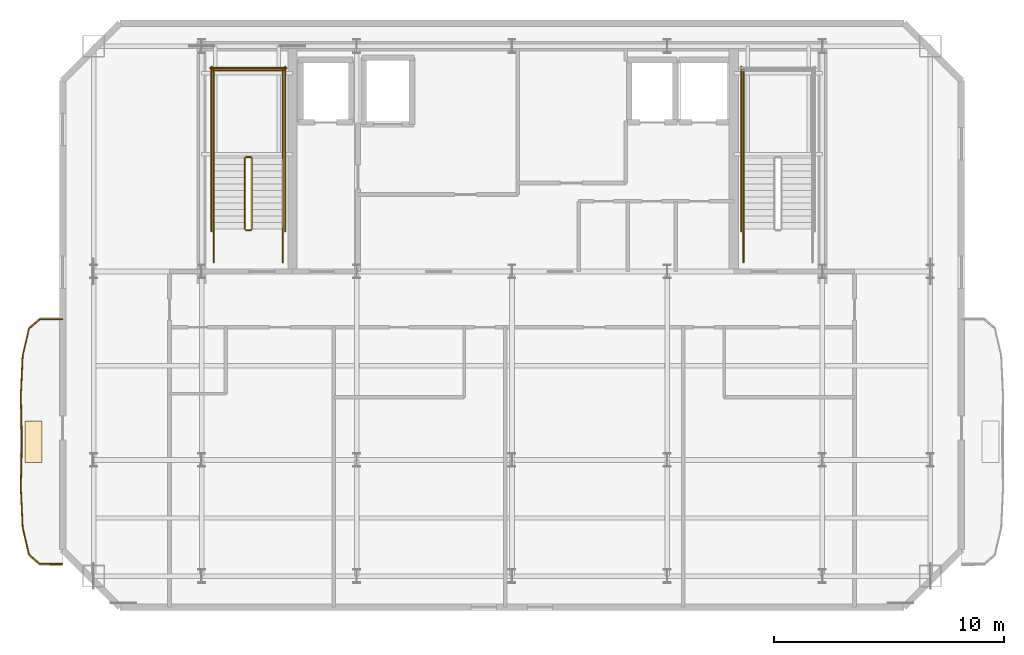
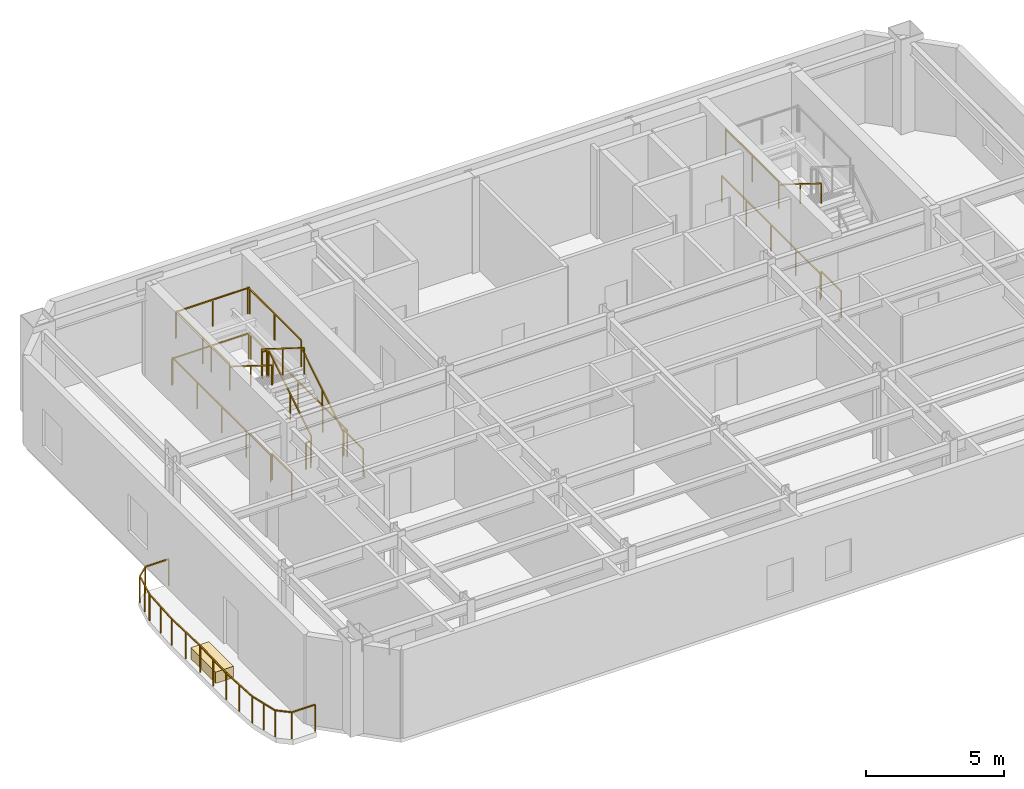
# One storey, part 5 of 6: 28 railings, 1 covering.
"""IFC4 building model written with IfcOpenShell, lengths in metres."""

from ifc_helpers import new_model, si_unit, direction, frame, origin, origin_2d, place, context, subcontext, project, spatial, rectangle, extrude, material, layer, layer_set, type_object, element, save


model = new_model("IFC4")

# Units and contexts
model_context = context("Model", 3, precision=1e-05, world=origin(), true_north=direction((0.0, 1.0)))
body_context = subcontext(model_context, "Body", "Model", "MODEL_VIEW")
ifc_project = project(units=[si_unit("LENGTHUNIT", "METRE"), si_unit("AREAUNIT", "SQUARE_METRE"), si_unit("VOLUMEUNIT", "CUBIC_METRE"), si_unit("PLANEANGLEUNIT", "RADIAN"), si_unit("MASSUNIT", "GRAM", prefix="KILO")], contexts=[model_context])

# Site, building, storey
site_placement = place(None, origin())
site = spatial("IfcSite", under=ifc_project, at=site_placement, CompositionType="ELEMENT")
building_placement = place(site_placement, origin())
building = spatial("IfcBuilding", under=site, at=building_placement, Name="Haevon Station Towers", CompositionType="ELEMENT")
storey_placement = place(building_placement, frame((0.0, 0.0, 265.800048828125)))
storey = spatial("IfcBuildingStorey", under=building, at=storey_placement, Name="L74", CompositionType="ELEMENT", Elevation=265.800048828125)

# Railings
ifc_material_1 = material(Name="Steel S355", Category="steel")
railing_type_1 = type_object("IfcRailingType", Name="GRD-EXT1200", PredefinedType="GUARDRAIL", material=ifc_material_1)
railing_1_placement = place(storey_placement, frame((17.9267578125, 36.1220703125, 0.0)))
element("IfcRailing", 1, at=railing_1_placement, inside=storey, type_object=railing_type_1, Name="L74 Perimeter Guardrail 1", PredefinedType="GUARDRAIL", context=body_context, shape_type="SweptSolid", body=[
    extrude(rectangle(XDim=0.048095703125, YDim=0.048095703125, at=origin_2d()), frame((0.0, 0.0, 1.17578125), z_axis=(-0.999997990976, -0.002004506121, 0.0), x_axis=(0.002004506121, -0.999997990976, 0.0)), (0.0, 0.0, 1.0), 0.974365234375),
    extrude(rectangle(XDim=0.0419921875, YDim=0.0419921875, at=origin_2d()), origin(), (0.0, 0.0, 1.0), 1.15185546875),
    extrude(rectangle(XDim=0.0419921875, YDim=0.0419921875, at=origin_2d()), frame((-0.974365234375, -0.001953125, 0.0)), (0.0, 0.0, 1.0), 1.15185546875),
])
railing_2_placement = place(storey_placement, frame((16.952392578125, 36.1201171875, 0.0)))
element("IfcRailing", 2, at=railing_2_placement, inside=storey, type_object=railing_type_1, Name="L74 Perimeter Guardrail 2", PredefinedType="GUARDRAIL", context=body_context, shape_type="SweptSolid", body=[
    extrude(rectangle(XDim=0.048095703125, YDim=0.048095703125, at=origin_2d()), frame((0.0, 0.0, 1.17578125), z_axis=(-0.750946844262, -0.660362655738, 0.0), x_axis=(0.660362655738, -0.750946844262, 0.0)), (0.0, 0.0, 1.0), 0.62255859375),
    extrude(rectangle(XDim=0.0419921875, YDim=0.0419921875, at=origin_2d()), origin(), (0.0, 0.0, 1.0), 1.15185546875),
    extrude(rectangle(XDim=0.0419921875, YDim=0.0419921875, at=origin_2d()), frame((-0.467529296875, -0.4111328125, 0.0)), (0.0, 0.0, 1.0), 1.15185546875),
])
railing_3_placement = place(storey_placement, frame((16.48486328125, 35.708984375, 0.0)))
element("IfcRailing", 3, at=railing_3_placement, inside=storey, type_object=railing_type_1, Name="L74 Perimeter Guardrail 3", PredefinedType="GUARDRAIL", context=body_context, shape_type="SweptSolid", body=[
    extrude(rectangle(XDim=0.048095703125, YDim=0.048095703125, at=origin_2d()), frame((0.0, 0.0, 1.17578125), z_axis=(-0.227396637596, -0.973802222841, 0.0), x_axis=(0.973802222841, -0.227396637596, 0.0)), (0.0, 0.0, 1.0), 1.201416015625),
    extrude(rectangle(XDim=0.0419921875, YDim=0.0419921875, at=origin_2d()), origin(), (0.0, 0.0, 1.0), 1.15185546875),
    extrude(rectangle(XDim=0.0419921875, YDim=0.0419921875, at=origin_2d()), frame((-0.13671875, -0.5849609375, 0.0)), (0.0, 0.0, 1.0), 1.15185546875),
    extrude(rectangle(XDim=0.0419921875, YDim=0.0419921875, at=origin_2d()), frame((-0.273193359375, -1.169921875, 0.0)), (0.0, 0.0, 1.0), 1.15185546875),
])
railing_4_placement = place(storey_placement, frame((16.211669921875, 34.5390625, 0.0)))
element("IfcRailing", 4, at=railing_4_placement, inside=storey, type_object=railing_type_1, Name="L74 Perimeter Guardrail 4", PredefinedType="GUARDRAIL", context=body_context, shape_type="SweptSolid", body=[
    extrude(rectangle(XDim=0.048095703125, YDim=0.048095703125, at=origin_2d()), frame((0.0, 0.0, 1.17578125), z_axis=(-0.046273804873, -0.99892879375, 0.0), x_axis=(0.99892879375, -0.046273804873, 0.0)), (0.0, 0.0, 1.0), 1.751708984375),
    extrude(rectangle(XDim=0.0419921875, YDim=0.0419921875, at=origin_2d()), origin(), (0.0, 0.0, 1.0), 1.15185546875),
    extrude(rectangle(XDim=0.0419921875, YDim=0.0419921875, at=origin_2d()), frame((-0.04052734375, -0.875, 0.0)), (0.0, 0.0, 1.0), 1.15185546875),
    extrude(rectangle(XDim=0.0419921875, YDim=0.0419921875, at=origin_2d()), frame((-0.0810546875, -1.749755859375, 0.0)), (0.0, 0.0, 1.0), 1.15185546875),
])
railing_5_placement = place(storey_placement, frame((16.130615234375, 32.789306640625, 0.0)))
element("IfcRailing", 5, at=railing_5_placement, inside=storey, type_object=railing_type_1, Name="L74 Perimeter Guardrail 5", PredefinedType="GUARDRAIL", context=body_context, shape_type="SweptSolid", body=[
    extrude(rectangle(XDim=0.048095703125, YDim=0.048095703125, at=origin_2d()), frame((0.0, 0.0, 1.17578125), z_axis=(0.024170648736, -0.999707847193, 0.0), x_axis=(0.999707847193, 0.024170648736, 0.0)), (0.0, 0.0, 1.0), 1.98974609375),
    extrude(rectangle(XDim=0.0419921875, YDim=0.0419921875, at=origin_2d()), origin(), (0.0, 0.0, 1.0), 1.15185546875),
    extrude(rectangle(XDim=0.0419921875, YDim=0.0419921875, at=origin_2d()), frame((0.02392578125, -0.99462890625, 0.0)), (0.0, 0.0, 1.0), 1.15185546875),
    extrude(rectangle(XDim=0.0419921875, YDim=0.0419921875, at=origin_2d()), frame((0.048095703125, -1.9892578125, 0.0)), (0.0, 0.0, 1.0), 1.15185546875),
])
railing_6_placement = place(storey_placement, frame((16.1787109375, 30.800048828125, 0.0)))
element("IfcRailing", 6, at=railing_6_placement, inside=storey, type_object=railing_type_1, Name="L74 Perimeter Guardrail 6", PredefinedType="GUARDRAIL", context=body_context, shape_type="SweptSolid", body=[
    extrude(rectangle(XDim=0.048095703125, YDim=0.048095703125, at=origin_2d()), frame((0.0, 0.0, 1.17578125), z_axis=(-0.02416768438, -0.99970791886, 0.0), x_axis=(0.99970791886, -0.02416768438, 0.0)), (0.0, 0.0, 1.0), 1.989990234375),
    extrude(rectangle(XDim=0.0419921875, YDim=0.0419921875, at=origin_2d()), origin(), (0.0, 0.0, 1.0), 1.15185546875),
    extrude(rectangle(XDim=0.0419921875, YDim=0.0419921875, at=origin_2d()), frame((-0.02392578125, -0.99462890625, 0.0)), (0.0, 0.0, 1.0), 1.15185546875),
    extrude(rectangle(XDim=0.0419921875, YDim=0.0419921875, at=origin_2d()), frame((-0.048095703125, -1.989501953125, 0.0)), (0.0, 0.0, 1.0), 1.15185546875),
])
railing_7_placement = place(storey_placement, frame((16.130615234375, 28.810546875, 0.0)))
element("IfcRailing", 7, at=railing_7_placement, inside=storey, type_object=railing_type_1, Name="L74 Perimeter Guardrail 7", PredefinedType="GUARDRAIL", context=body_context, shape_type="SweptSolid", body=[
    extrude(rectangle(XDim=0.048095703125, YDim=0.048095703125, at=origin_2d()), frame((0.0, 0.0, 1.17578125), z_axis=(0.046280248454, -0.99892849524, 0.0), x_axis=(0.99892849524, 0.046280248454, 0.0)), (0.0, 0.0, 1.0), 1.75146484375),
    extrude(rectangle(XDim=0.0419921875, YDim=0.0419921875, at=origin_2d()), origin(), (0.0, 0.0, 1.0), 1.15185546875),
    extrude(rectangle(XDim=0.0419921875, YDim=0.0419921875, at=origin_2d()), frame((0.04052734375, -0.874755859375, 0.0)), (0.0, 0.0, 1.0), 1.15185546875),
    extrude(rectangle(XDim=0.0419921875, YDim=0.0419921875, at=origin_2d()), frame((0.0810546875, -1.74951171875, 0.0)), (0.0, 0.0, 1.0), 1.15185546875),
])
railing_8_placement = place(storey_placement, frame((16.211669921875, 27.06103515625, 0.0)))
element("IfcRailing", 8, at=railing_8_placement, inside=storey, type_object=railing_type_1, Name="L74 Perimeter Guardrail 8", PredefinedType="GUARDRAIL", context=body_context, shape_type="SweptSolid", body=[
    extrude(rectangle(XDim=0.048095703125, YDim=0.048095703125, at=origin_2d()), frame((0.0, 0.0, 1.17578125), z_axis=(0.227351646646, -0.97381272777, 0.0), x_axis=(0.97381272777, 0.227351646646, 0.0)), (0.0, 0.0, 1.0), 1.20166015625),
    extrude(rectangle(XDim=0.0419921875, YDim=0.0419921875, at=origin_2d()), origin(), (0.0, 0.0, 1.0), 1.15185546875),
    extrude(rectangle(XDim=0.0419921875, YDim=0.0419921875, at=origin_2d()), frame((0.13671875, -0.5849609375, 0.0)), (0.0, 0.0, 1.0), 1.15185546875),
    extrude(rectangle(XDim=0.0419921875, YDim=0.0419921875, at=origin_2d()), frame((0.273193359375, -1.170166015625, 0.0)), (0.0, 0.0, 1.0), 1.15185546875),
])
railing_9_placement = place(storey_placement, frame((16.48486328125, 25.890869140625, 0.0)))
element("IfcRailing", 9, at=railing_9_placement, inside=storey, type_object=railing_type_1, Name="L74 Perimeter Guardrail 9", PredefinedType="GUARDRAIL", context=body_context, shape_type="SweptSolid", body=[
    extrude(rectangle(XDim=0.048095703125, YDim=0.048095703125, at=origin_2d()), frame((0.0, 0.0, 1.17578125), z_axis=(0.75114132287, -0.660141434146, 0.0), x_axis=(0.660141434146, 0.75114132287, 0.0)), (0.0, 0.0, 1.0), 0.622314453125),
    extrude(rectangle(XDim=0.0419921875, YDim=0.0419921875, at=origin_2d()), origin(), (0.0, 0.0, 1.0), 1.15185546875),
    extrude(rectangle(XDim=0.0419921875, YDim=0.0419921875, at=origin_2d()), frame((0.467529296875, -0.410888671875, 0.0)), (0.0, 0.0, 1.0), 1.15185546875),
])
railing_10_placement = place(storey_placement, frame((16.952392578125, 25.47998046875, 0.0)))
element("IfcRailing", 10, at=railing_10_placement, inside=storey, type_object=railing_type_1, Name="L74 Perimeter Guardrail 10", PredefinedType="GUARDRAIL", context=body_context, shape_type="SweptSolid", body=[
    extrude(rectangle(XDim=0.048095703125, YDim=0.048095703125, at=origin_2d()), frame((0.0, 0.0, 1.17578125), z_axis=(0.999997457331, -0.002255068182, 0.0), x_axis=(0.002255068182, 0.999997457331, 0.0)), (0.0, 0.0, 1.0), 0.974365234375),
    extrude(rectangle(XDim=0.0419921875, YDim=0.0419921875, at=origin_2d()), origin(), (0.0, 0.0, 1.0), 1.15185546875),
    extrude(rectangle(XDim=0.0419921875, YDim=0.0419921875, at=origin_2d()), frame((0.974365234375, -0.002197265625, 0.0)), (0.0, 0.0, 1.0), 1.15185546875),
])
railing_type_2 = type_object("IfcRailingType", Name="GRD-STR1200", PredefinedType="GUARDRAIL", material=ifc_material_1)
railing_11_placement = place(storey_placement, frame((26.179931640625, 40.050048828125, 0.175048828125)))
element("IfcRailing", 11, at=railing_11_placement, inside=storey, type_object=railing_type_2, Name="L74 ST1 Stair Guard 1", PredefinedType="GUARDRAIL", context=body_context, shape_type="SweptSolid", body=[
    extrude(rectangle(XDim=0.048095703125, YDim=0.048095703125, at=origin_2d()), frame((0.0, 0.0, 1.17578125), z_axis=(0.0, 0.848009633417, 0.529980812513), x_axis=(-1.0, 0.0, 0.0)), (0.0, 0.0, 1.0), 3.6318359375),
    extrude(rectangle(XDim=0.0419921875, YDim=0.0419921875, at=origin_2d()), origin(), (0.0, 0.0, 1.0), 1.15185546875),
    extrude(rectangle(XDim=0.0419921875, YDim=0.0419921875, at=origin_2d()), frame((0.0, 1.5400390625, 0.96240234375)), (0.0, 0.0, 1.0), 1.15185546875),
    extrude(rectangle(XDim=0.0419921875, YDim=0.0419921875, at=origin_2d()), frame((0.0, 3.079833984375, 1.9248046875)), (0.0, 0.0, 1.0), 1.15185546875),
])
railing_12_placement = place(storey_placement, frame((26.1298828125, 43.179931640625, 2.099853515625)))
element("IfcRailing", 12, at=railing_12_placement, inside=storey, type_object=railing_type_2, Name="L74 ST1 Stair Guard 2", PredefinedType="GUARDRAIL", context=body_context, shape_type="SweptSolid", body=[
    extrude(rectangle(XDim=0.048095703125, YDim=0.048095703125, at=origin_2d()), frame((0.0, 0.0, 1.17578125), z_axis=(-1.0, 0.0, 0.0), x_axis=(0.0, -1.0, 0.0)), (0.0, 0.0, 1.0), 0.199951171875),
    extrude(rectangle(XDim=0.0419921875, YDim=0.0419921875, at=origin_2d()), origin(), (0.0, 0.0, 1.0), 1.15185546875),
    extrude(rectangle(XDim=0.0419921875, YDim=0.0419921875, at=origin_2d()), frame((-0.199951171875, 0.0, 0.0)), (0.0, 0.0, 1.0), 1.15185546875),
])
for number, where, name in (
    (13, (27.530029296875, 43.1298828125, 2.099853515625), "L74 ST1 Stair Guard 3"),
    (14, (24.530029296875, 43.1298828125, 2.099853515625), "L74 ST1 Stair Guard 4"),
):
    element("IfcRailing", number, at=place(storey_placement, frame(where)), inside=storey, type_object=railing_type_2, Name=name, PredefinedType="GUARDRAIL", context=body_context, shape_type="SweptSolid", body=[
        extrude(rectangle(XDim=0.048095703125, YDim=0.048095703125, at=origin_2d()), frame((0.0, 0.0, 1.17578125), z_axis=(0.0, 1.0, 0.0), x_axis=(-1.0, 0.0, 0.0)), (0.0, 0.0, 1.0), 3.8701171875),
        extrude(rectangle(XDim=0.0419921875, YDim=0.0419921875, at=origin_2d()), origin(), (0.0, 0.0, 1.0), 1.15185546875),
        extrude(rectangle(XDim=0.0419921875, YDim=0.0419921875, at=origin_2d()), frame((0.0, 1.93505859375, 0.0)), (0.0, 0.0, 1.0), 1.15185546875),
        extrude(rectangle(XDim=0.0419921875, YDim=0.0419921875, at=origin_2d()), frame((0.0, 3.8701171875, 0.0)), (0.0, 0.0, 1.0), 1.15185546875),
    ])
railing_13_placement = place(storey_placement, frame((27.580078125, 46.949951171875, 2.099853515625)))
element("IfcRailing", 15, at=railing_13_placement, inside=storey, type_object=railing_type_2, Name="L74 ST1 Stair Guard 5", PredefinedType="GUARDRAIL", context=body_context, shape_type="SweptSolid", body=[
    extrude(rectangle(XDim=0.048095703125, YDim=0.048095703125, at=origin_2d()), frame((0.0, 0.0, 1.17578125), z_axis=(-1.0, 0.0, 0.0), x_axis=(0.0, -1.0, 0.0)), (0.0, 0.0, 1.0), 3.10009765625),
    extrude(rectangle(XDim=0.0419921875, YDim=0.0419921875, at=origin_2d()), origin(), (0.0, 0.0, 1.0), 1.15185546875),
    extrude(rectangle(XDim=0.0419921875, YDim=0.0419921875, at=origin_2d()), frame((-1.550048828125, 0.0, 0.0)), (0.0, 0.0, 1.0), 1.15185546875),
    extrude(rectangle(XDim=0.0419921875, YDim=0.0419921875, at=origin_2d()), frame((-3.10009765625, 0.0, 0.0)), (0.0, 0.0, 1.0), 1.15185546875),
])
railing_14_placement = place(storey_placement, frame((25.8798828125, 43.1298828125, 2.27490234375)))
element("IfcRailing", 16, at=railing_14_placement, inside=storey, type_object=railing_type_2, Name="L74 ST1 Stair Guard 6", PredefinedType="GUARDRAIL", context=body_context, shape_type="SweptSolid", body=[
    extrude(rectangle(XDim=0.048095703125, YDim=0.048095703125, at=origin_2d()), frame((0.0, 0.0, 1.17578125), z_axis=(0.0, -0.847979421464, 0.530029150871), x_axis=(1.0, 0.0, 0.0)), (0.0, 0.0, 1.0), 3.632080078125),
    extrude(rectangle(XDim=0.0419921875, YDim=0.0419921875, at=origin_2d()), origin(), (0.0, 0.0, 1.0), 1.15185546875),
    extrude(rectangle(XDim=0.0419921875, YDim=0.0419921875, at=origin_2d()), frame((0.0, -1.5400390625, 0.96240234375)), (0.0, 0.0, 1.0), 1.15185546875),
    extrude(rectangle(XDim=0.0419921875, YDim=0.0419921875, at=origin_2d()), frame((0.0, -3.079833984375, 1.925048828125)), (0.0, 0.0, 1.0), 1.15185546875),
])
railing_15_placement = place(storey_placement, frame((26.1298828125, 40.0, 0.0)))
element("IfcRailing", 17, at=railing_15_placement, inside=storey, type_object=railing_type_2, Name="L74 ST1 Stair Guard 7", PredefinedType="GUARDRAIL", context=body_context, shape_type="SweptSolid", body=[
    extrude(rectangle(XDim=0.048095703125, YDim=0.048095703125, at=origin_2d()), frame((0.0, 0.0, 1.17578125), z_axis=(-1.0, 0.0, 0.0), x_axis=(0.0, -1.0, 0.0)), (0.0, 0.0, 1.0), 0.199951171875),
    extrude(rectangle(XDim=0.0419921875, YDim=0.0419921875, at=origin_2d()), origin(), (0.0, 0.0, 1.0), 1.15185546875),
    extrude(rectangle(XDim=0.0419921875, YDim=0.0419921875, at=origin_2d()), frame((-0.199951171875, 0.0, 0.0)), (0.0, 0.0, 1.0), 1.15185546875),
])
for number, where, name in (
    (18, (27.530029296875, 38.60009765625, 0.0), "L74 ST1 Stair Guard 8"),
    (19, (24.530029296875, 38.60009765625, 0.0), "L74 ST1 Stair Guard 9"),
):
    element("IfcRailing", number, at=place(storey_placement, frame(where)), inside=storey, type_object=railing_type_2, Name=name, PredefinedType="GUARDRAIL", context=body_context, shape_type="SweptSolid", body=[
        extrude(rectangle(XDim=0.048095703125, YDim=0.048095703125, at=origin_2d()), frame((0.0, 0.0, 1.17578125), z_axis=(0.0, 1.0, 0.0), x_axis=(-1.0, 0.0, 0.0)), (0.0, 0.0, 1.0), 1.449951171875),
        extrude(rectangle(XDim=0.0419921875, YDim=0.0419921875, at=origin_2d()), origin(), (0.0, 0.0, 1.0), 1.15185546875),
        extrude(rectangle(XDim=0.0419921875, YDim=0.0419921875, at=origin_2d()), frame((0.0, 1.449951171875, 0.0)), (0.0, 0.0, 1.0), 1.15185546875),
    ])
for number, where, name in (
    (20, (27.6298828125, 39.949951171875, 0.0), "L74 ST1 Stair Guard 10"),
    (21, (24.429931640625, 39.949951171875, 0.0), "L74 ST1 Stair Guard 11"),
):
    element("IfcRailing", number, at=place(storey_placement, frame(where)), inside=storey, type_object=railing_type_2, Name=name, PredefinedType="GUARDRAIL", context=body_context, shape_type="SweptSolid", body=[
        extrude(rectangle(XDim=0.048095703125, YDim=0.048095703125, at=origin_2d()), frame((0.0, 0.0, 1.17578125), z_axis=(0.0, 1.0, 0.0), x_axis=(-1.0, 0.0, 0.0)), (0.0, 0.0, 1.0), 7.150146484375),
        extrude(rectangle(XDim=0.0419921875, YDim=0.0419921875, at=origin_2d()), origin(), (0.0, 0.0, 1.0), 1.15185546875),
        extrude(rectangle(XDim=0.0419921875, YDim=0.0419921875, at=origin_2d()), frame((0.0, 1.78759765625, 0.0)), (0.0, 0.0, 1.0), 1.15185546875),
        extrude(rectangle(XDim=0.0419921875, YDim=0.0419921875, at=origin_2d()), frame((0.0, 3.5751953125, 0.0)), (0.0, 0.0, 1.0), 1.15185546875),
        extrude(rectangle(XDim=0.0419921875, YDim=0.0419921875, at=origin_2d()), frame((0.0, 5.362548828125, 0.0)), (0.0, 0.0, 1.0), 1.15185546875),
        extrude(rectangle(XDim=0.0419921875, YDim=0.0419921875, at=origin_2d()), frame((0.0, 7.150146484375, 0.0)), (0.0, 0.0, 1.0), 1.15185546875),
    ])
railing_16_placement = place(storey_placement, frame((27.679931640625, 47.050048828125, 0.0)))
element("IfcRailing", 22, at=railing_16_placement, inside=storey, type_object=railing_type_2, Name="L74 ST1 Stair Guard 12", PredefinedType="GUARDRAIL", context=body_context, shape_type="SweptSolid", body=[
    extrude(rectangle(XDim=0.048095703125, YDim=0.048095703125, at=origin_2d()), frame((0.0, 0.0, 1.17578125), z_axis=(-1.0, 0.0, 0.0), x_axis=(0.0, -1.0, 0.0)), (0.0, 0.0, 1.0), 3.300048828125),
    extrude(rectangle(XDim=0.0419921875, YDim=0.0419921875, at=origin_2d()), origin(), (0.0, 0.0, 1.0), 1.15185546875),
    extrude(rectangle(XDim=0.0419921875, YDim=0.0419921875, at=origin_2d()), frame((-1.64990234375, 0.0, 0.0)), (0.0, 0.0, 1.0), 1.15185546875),
    extrude(rectangle(XDim=0.0419921875, YDim=0.0419921875, at=origin_2d()), frame((-3.300048828125, 0.0, 0.0)), (0.0, 0.0, 1.0), 1.15185546875),
])
railing_17_placement = place(storey_placement, frame((47.570068359375, 43.1298828125, 2.099853515625)))
element("IfcRailing", 23, at=railing_17_placement, inside=storey, type_object=railing_type_2, Name="L74 ST2 Stair Guard 4", PredefinedType="GUARDRAIL", context=body_context, shape_type="SweptSolid", body=[
    extrude(rectangle(XDim=0.048095703125, YDim=0.048095703125, at=origin_2d()), frame((0.0, 0.0, 1.17578125), z_axis=(0.0, 1.0, 0.0), x_axis=(-1.0, 0.0, 0.0)), (0.0, 0.0, 1.0), 3.8701171875),
    extrude(rectangle(XDim=0.0419921875, YDim=0.0419921875, at=origin_2d()), origin(), (0.0, 0.0, 1.0), 1.15185546875),
    extrude(rectangle(XDim=0.0419921875, YDim=0.0419921875, at=origin_2d()), frame((0.0, 1.93505859375, 0.0)), (0.0, 0.0, 1.0), 1.15185546875),
    extrude(rectangle(XDim=0.0419921875, YDim=0.0419921875, at=origin_2d()), frame((0.0, 3.8701171875, 0.0)), (0.0, 0.0, 1.0), 1.15185546875),
])
railing_18_placement = place(storey_placement, frame((47.570068359375, 38.60009765625, 0.0)))
element("IfcRailing", 24, at=railing_18_placement, inside=storey, type_object=railing_type_2, Name="L74 ST2 Stair Guard 9", PredefinedType="GUARDRAIL", context=body_context, shape_type="SweptSolid", body=[
    extrude(rectangle(XDim=0.048095703125, YDim=0.048095703125, at=origin_2d()), frame((0.0, 0.0, 1.17578125), z_axis=(0.0, 1.0, 0.0), x_axis=(-1.0, 0.0, 0.0)), (0.0, 0.0, 1.0), 1.449951171875),
    extrude(rectangle(XDim=0.0419921875, YDim=0.0419921875, at=origin_2d()), origin(), (0.0, 0.0, 1.0), 1.15185546875),
    extrude(rectangle(XDim=0.0419921875, YDim=0.0419921875, at=origin_2d()), frame((0.0, 1.449951171875, 0.0)), (0.0, 0.0, 1.0), 1.15185546875),
])
railing_19_placement = place(storey_placement, frame((47.469970703125, 39.949951171875, 0.0)))
element("IfcRailing", 25, at=railing_19_placement, inside=storey, type_object=railing_type_2, Name="L74 ST2 Stair Guard 11", PredefinedType="GUARDRAIL", context=body_context, shape_type="SweptSolid", body=[
    extrude(rectangle(XDim=0.048095703125, YDim=0.048095703125, at=origin_2d()), frame((0.0, 0.0, 1.17578125), z_axis=(0.0, 1.0, 0.0), x_axis=(-1.0, 0.0, 0.0)), (0.0, 0.0, 1.0), 7.150146484375),
    extrude(rectangle(XDim=0.0419921875, YDim=0.0419921875, at=origin_2d()), origin(), (0.0, 0.0, 1.0), 1.15185546875),
    extrude(rectangle(XDim=0.0419921875, YDim=0.0419921875, at=origin_2d()), frame((0.0, 1.78759765625, 0.0)), (0.0, 0.0, 1.0), 1.15185546875),
    extrude(rectangle(XDim=0.0419921875, YDim=0.0419921875, at=origin_2d()), frame((0.0, 3.5751953125, 0.0)), (0.0, 0.0, 1.0), 1.15185546875),
    extrude(rectangle(XDim=0.0419921875, YDim=0.0419921875, at=origin_2d()), frame((0.0, 5.362548828125, 0.0)), (0.0, 0.0, 1.0), 1.15185546875),
    extrude(rectangle(XDim=0.0419921875, YDim=0.0419921875, at=origin_2d()), frame((0.0, 7.150146484375, 0.0)), (0.0, 0.0, 1.0), 1.15185546875),
])
railing_type_3 = type_object("IfcRailingType", Name="HND-STR900", PredefinedType="HANDRAIL", material=ifc_material_1)
railing_20_placement = place(storey_placement, frame((27.530029296875, 40.050048828125, 0.175048828125)))
element("IfcRailing", 26, at=railing_20_placement, inside=storey, type_object=railing_type_3, Name="L74 ST1 Stair Handrail 1", PredefinedType="HANDRAIL", context=body_context, shape_type="SweptSolid", body=[
    extrude(rectangle(XDim=0.048095703125, YDim=0.048095703125, at=origin_2d()), frame((0.0, 0.0, 0.8759765625), z_axis=(0.0, 0.848009633417, 0.529980812513), x_axis=(-1.0, 0.0, 0.0)), (0.0, 0.0, 1.0), 3.6318359375),
    extrude(rectangle(XDim=0.0419921875, YDim=0.0419921875, at=origin_2d()), origin(), (0.0, 0.0, 1.0), 0.851806640625),
    extrude(rectangle(XDim=0.0419921875, YDim=0.0419921875, at=origin_2d()), frame((0.0, 1.5400390625, 0.96240234375)), (0.0, 0.0, 1.0), 0.851806640625),
    extrude(rectangle(XDim=0.0419921875, YDim=0.0419921875, at=origin_2d()), frame((0.0, 3.079833984375, 1.9248046875)), (0.0, 0.0, 1.0), 0.851806640625),
])
for number, where, name in (
    (27, (24.530029296875, 43.1298828125, 2.27490234375), "L74 ST1 Stair Handrail 2"),
    (28, (47.570068359375, 43.1298828125, 2.27490234375), "L74 ST2 Stair Handrail 2"),
):
    element("IfcRailing", number, at=place(storey_placement, frame(where)), inside=storey, type_object=railing_type_3, Name=name, PredefinedType="HANDRAIL", context=body_context, shape_type="SweptSolid", body=[
        extrude(rectangle(XDim=0.048095703125, YDim=0.048095703125, at=origin_2d()), frame((0.0, 0.0, 0.8759765625), z_axis=(0.0, -0.847979421464, 0.530029150871), x_axis=(1.0, 0.0, 0.0)), (0.0, 0.0, 1.0), 3.632080078125),
        extrude(rectangle(XDim=0.0419921875, YDim=0.0419921875, at=origin_2d()), origin(), (0.0, 0.0, 1.0), 0.851806640625),
        extrude(rectangle(XDim=0.0419921875, YDim=0.0419921875, at=origin_2d()), frame((0.0, -1.5400390625, 0.96240234375)), (0.0, 0.0, 1.0), 0.851806640625),
        extrude(rectangle(XDim=0.0419921875, YDim=0.0419921875, at=origin_2d()), frame((0.0, -3.079833984375, 1.925048828125)), (0.0, 0.0, 1.0), 0.851806640625),
    ])

# Covering
ifc_material_2 = material(Name="Architectural planter GRC", Category="concrete")
ifc_layer = layer(ifc_material_2, 0.550048828125)
ifc_layer_set = layer_set([ifc_layer], Name="Architectural planter GRC")
covering_type = type_object("IfcCoveringType", Name="PLN-GRC550", PredefinedType="MOLDING", material=ifc_layer_set)
covering_placement = place(storey_placement, frame((16.6806640625, 30.800048828125, 0.0), z_axis=(0.0, 0.0, 1.0), x_axis=(1.0, 0.0, 0.0)))
element("IfcCovering", 29, at=covering_placement, inside=storey, type_object=covering_type, Name="Tower 1 L74 Scalloped Balcony PLANTER", PredefinedType="MOLDING", context=body_context, shape_type="SweptSolid", body=[
    extrude(rectangle(XDim=0.75, YDim=1.800048828125, at=origin_2d()), origin(), (0.0, 0.0, 1.0), 0.5),
])

save(model, "model.ifc")
